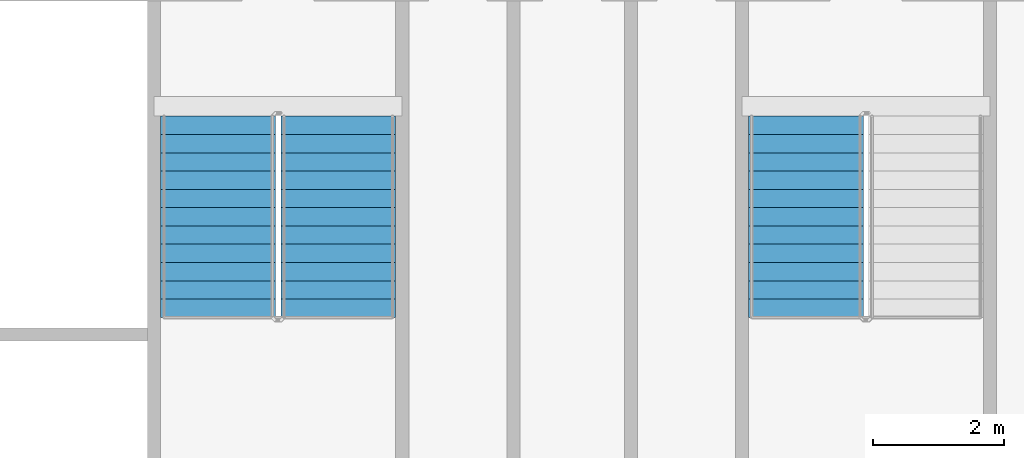
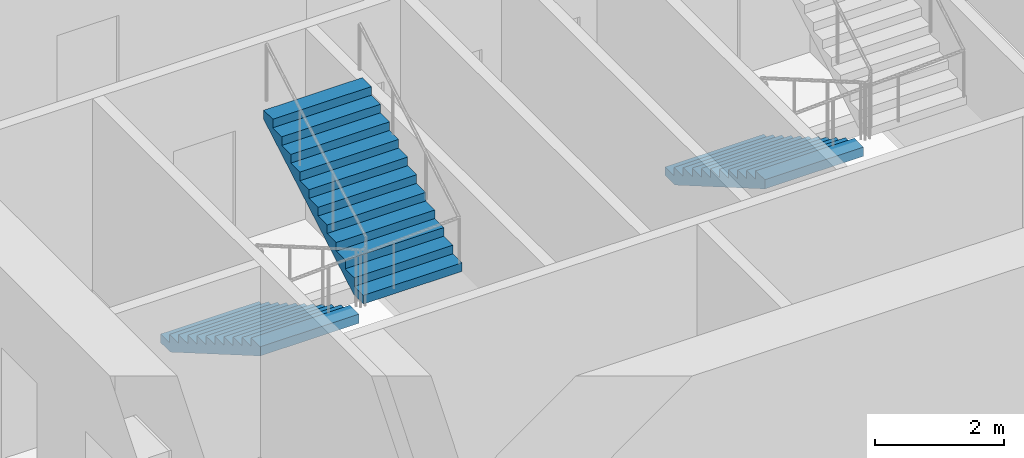
# One storey, part 8 of 12: 3 stair flights, 2 elements without a shape of their own.
"""IFC4 building model written with IfcOpenShell, lengths in metres."""

from ifc_helpers import new_model, si_unit, direction, frame, origin, place, context, subcontext, project, spatial, faceted_brep, material, type_object, element, aggregate, save


model = new_model("IFC4")

# Units and contexts
model_context = context("Model", 3, precision=1e-05, world=origin(), true_north=direction((0.0, 1.0)))
body_context = subcontext(model_context, "Body", "Model", "MODEL_VIEW")
ifc_project = project(units=[si_unit("LENGTHUNIT", "METRE"), si_unit("AREAUNIT", "SQUARE_METRE"), si_unit("VOLUMEUNIT", "CUBIC_METRE"), si_unit("PLANEANGLEUNIT", "RADIAN"), si_unit("MASSUNIT", "GRAM", prefix="KILO")], contexts=[model_context])

# Site, building, storey
site_placement = place(None, origin())
site = spatial("IfcSite", under=ifc_project, at=site_placement, CompositionType="ELEMENT")
building_placement = place(site_placement, origin())
building = spatial("IfcBuilding", under=site, at=building_placement, Name="Tarsis Ring Headquarters", CompositionType="ELEMENT")
storey_placement = place(building_placement, frame((0.0, 0.0, 82.89990234375)))
storey = spatial("IfcBuildingStorey", under=building, at=storey_placement, Name="L18", CompositionType="ELEMENT", Elevation=82.89990234375)

# Stair, stair flights
ifc_material_1 = material(Name="Core stair 1760")
stair_type = type_object("IfcStairType", Name="Core stair 1760", PredefinedType="HALF_TURN_STAIR", material=ifc_material_1)
stair_1_placement = place(storey_placement, origin())
stair_1 = element("IfcStair", 1, at=stair_1_placement, inside=storey, type_object=stair_type, Name="L18 Exit stair C", PredefinedType="HALF_TURN_STAIR")
ifc_material_2 = material(Name="Concrete C40/50", Category="concrete")
stair_flight_type = type_object("IfcStairFlightType", Name="Core stair flight 1760", PredefinedType="STRAIGHT", material=ifc_material_2)
stair_flight_1_placement = place(storey_placement, frame((-5.419921875, -3.659912109375, 0.0), z_axis=(0.0, 0.0, 1.0), x_axis=(0.0, -1.0, 0.0)))
stair_flight_1 = element("IfcStairFlight", 2, at=stair_flight_1_placement, type_object=stair_flight_type, Name="Stair ST3 flight 1", NumberOfRisers=12, NumberOfTreads=11, PredefinedType="STRAIGHT", RiserHeight=0.1625, TreadLength=0.28, context=body_context, shape_type="Brep", body=[
    faceted_brep([(0.0, 0.8798828125, 0.0), (0.0, 0.8798828125, 0.16259765625), (0.280029296875, 0.8798828125, 0.16259765625), (0.280029296875, 0.8798828125, 0.324951171875), (0.56005859375, 0.8798828125, 0.324951171875), (0.56005859375, 0.8798828125, 0.487548828125), (0.840087890625, 0.8798828125, 0.487548828125), (0.840087890625, 0.8798828125, 0.64990234375), (1.1201171875, 0.8798828125, 0.64990234375), (1.1201171875, 0.8798828125, 0.8125), (1.39990234375, 0.8798828125, 0.8125), (1.39990234375, 0.8798828125, 0.97509765625), (1.679931640625, 0.8798828125, 0.97509765625), (1.679931640625, 0.8798828125, 1.137451171875), (1.9599609375, 0.8798828125, 1.137451171875), (1.9599609375, 0.8798828125, 1.300048828125), (2.239990234375, 0.8798828125, 1.300048828125), (2.239990234375, 0.8798828125, 1.46240234375), (2.52001953125, 0.8798828125, 1.46240234375), (2.52001953125, 0.8798828125, 1.625), (2.800048828125, 0.8798828125, 1.625), (2.800048828125, 0.8798828125, 1.78759765625), (3.080078125, 0.8798828125, 1.78759765625), (3.080078125, 0.8798828125, 1.6142578125), (0.298583984375, 0.8798828125, 0.0), (0.298583984375, -0.8798828125, 0.0), (3.080078125, -0.8798828125, 1.6142578125), (3.080078125, -0.8798828125, 1.78759765625), (2.800048828125, -0.8798828125, 1.78759765625), (2.800048828125, -0.8798828125, 1.625), (2.52001953125, -0.8798828125, 1.625), (2.52001953125, -0.8798828125, 1.46240234375), (2.239990234375, -0.8798828125, 1.46240234375), (2.239990234375, -0.8798828125, 1.300048828125), (1.9599609375, -0.8798828125, 1.300048828125), (1.9599609375, -0.8798828125, 1.137451171875), (1.679931640625, -0.8798828125, 1.137451171875), (1.679931640625, -0.8798828125, 0.97509765625), (1.39990234375, -0.8798828125, 0.97509765625), (1.39990234375, -0.8798828125, 0.8125), (1.1201171875, -0.8798828125, 0.8125), (1.1201171875, -0.8798828125, 0.64990234375), (0.840087890625, -0.8798828125, 0.64990234375), (0.840087890625, -0.8798828125, 0.487548828125), (0.56005859375, -0.8798828125, 0.487548828125), (0.56005859375, -0.8798828125, 0.324951171875), (0.280029296875, -0.8798828125, 0.324951171875), (0.280029296875, -0.8798828125, 0.16259765625), (0.0, -0.8798828125, 0.16259765625), (0.0, -0.8798828125, 0.0), (0.0, -0.43994140625, 0.16259765625), (0.0, -0.43994140625, 0.0), (0.0, 0.0, 0.16259765625), (0.0, 0.0, 0.0), (0.0, 0.43994140625, 0.16259765625), (0.0, 0.43994140625, 0.0), (0.280029296875, -0.43994140625, 0.16259765625), (0.280029296875, 0.0, 0.16259765625), (0.280029296875, 0.43994140625, 0.16259765625), (0.280029296875, -0.43994140625, 0.324951171875), (0.280029296875, 0.0, 0.324951171875), (0.280029296875, 0.43994140625, 0.324951171875), (0.56005859375, -0.43994140625, 0.324951171875), (0.56005859375, 0.0, 0.324951171875), (0.56005859375, 0.43994140625, 0.324951171875), (0.56005859375, -0.43994140625, 0.487548828125), (0.56005859375, 0.0, 0.487548828125), (0.56005859375, 0.43994140625, 0.487548828125), (0.840087890625, -0.43994140625, 0.487548828125), (0.840087890625, 0.0, 0.487548828125), (0.840087890625, 0.43994140625, 0.487548828125), (0.840087890625, -0.43994140625, 0.64990234375), (0.840087890625, 0.0, 0.64990234375), (0.840087890625, 0.43994140625, 0.64990234375), (1.1201171875, -0.43994140625, 0.64990234375), (1.1201171875, 0.0, 0.64990234375), (1.1201171875, 0.43994140625, 0.64990234375), (1.1201171875, -0.43994140625, 0.8125), (1.1201171875, 0.0, 0.8125), (1.1201171875, 0.43994140625, 0.8125), (1.39990234375, -0.43994140625, 0.8125), (1.39990234375, 0.0, 0.8125), (1.39990234375, 0.43994140625, 0.8125), (1.39990234375, -0.43994140625, 0.97509765625), (1.39990234375, 0.0, 0.97509765625), (1.39990234375, 0.43994140625, 0.97509765625), (1.679931640625, -0.43994140625, 0.97509765625), (1.679931640625, 0.0, 0.97509765625), (1.679931640625, 0.43994140625, 0.97509765625), (1.679931640625, -0.43994140625, 1.137451171875), (1.679931640625, 0.0, 1.137451171875), (1.679931640625, 0.43994140625, 1.137451171875), (1.9599609375, -0.43994140625, 1.137451171875), (1.9599609375, 0.0, 1.137451171875), (1.9599609375, 0.43994140625, 1.137451171875), (1.9599609375, -0.43994140625, 1.300048828125), (1.9599609375, 0.0, 1.300048828125), (1.9599609375, 0.43994140625, 1.300048828125), (2.239990234375, -0.43994140625, 1.300048828125), (2.239990234375, 0.0, 1.300048828125), (2.239990234375, 0.43994140625, 1.300048828125), (2.239990234375, -0.43994140625, 1.46240234375), (2.239990234375, 0.0, 1.46240234375), (2.239990234375, 0.43994140625, 1.46240234375), (2.52001953125, -0.43994140625, 1.46240234375), (2.52001953125, 0.0, 1.46240234375), (2.52001953125, 0.43994140625, 1.46240234375), (2.52001953125, -0.43994140625, 1.625), (2.52001953125, 0.0, 1.625), (2.52001953125, 0.43994140625, 1.625), (2.800048828125, -0.43994140625, 1.625), (2.800048828125, 0.0, 1.625), (2.800048828125, 0.43994140625, 1.625), (2.800048828125, -0.43994140625, 1.78759765625), (2.800048828125, 0.0, 1.78759765625), (2.800048828125, 0.43994140625, 1.78759765625), (3.080078125, -0.43994140625, 1.78759765625), (3.080078125, 0.0, 1.78759765625), (3.080078125, 0.43994140625, 1.78759765625), (3.080078125, -0.43994140625, 1.6142578125), (3.080078125, 0.0, 1.6142578125), (3.080078125, 0.43994140625, 1.6142578125), (0.298583984375, -0.43994140625, 0.0), (0.298583984375, 0.0, 0.0), (0.298583984375, 0.43994140625, 0.0)], [[[0, 1, 2, 3, 4, 5, 6, 7, 8, 9, 10, 11, 12, 13, 14, 15, 16, 17, 18, 19, 20, 21, 22, 23, 24]], [[25, 26, 27, 28, 29, 30, 31, 32, 33, 34, 35, 36, 37, 38, 39, 40, 41, 42, 43, 44, 45, 46, 47, 48, 49]], [[49, 48, 50, 51]], [[51, 50, 52, 53]], [[53, 52, 54, 55]], [[55, 54, 1, 0]], [[48, 47, 56, 50]], [[50, 56, 57, 52]], [[52, 57, 58, 54]], [[54, 58, 2, 1]], [[47, 46, 59, 56]], [[56, 59, 60, 57]], [[57, 60, 61, 58]], [[58, 61, 3, 2]], [[46, 45, 62, 59]], [[59, 62, 63, 60]], [[60, 63, 64, 61]], [[61, 64, 4, 3]], [[45, 44, 65, 62]], [[62, 65, 66, 63]], [[63, 66, 67, 64]], [[64, 67, 5, 4]], [[44, 43, 68, 65]], [[65, 68, 69, 66]], [[66, 69, 70, 67]], [[67, 70, 6, 5]], [[43, 42, 71, 68]], [[68, 71, 72, 69]], [[69, 72, 73, 70]], [[70, 73, 7, 6]], [[42, 41, 74, 71]], [[71, 74, 75, 72]], [[72, 75, 76, 73]], [[73, 76, 8, 7]], [[41, 40, 77, 74]], [[74, 77, 78, 75]], [[75, 78, 79, 76]], [[76, 79, 9, 8]], [[40, 39, 80, 77]], [[77, 80, 81, 78]], [[78, 81, 82, 79]], [[79, 82, 10, 9]], [[39, 38, 83, 80]], [[80, 83, 84, 81]], [[81, 84, 85, 82]], [[82, 85, 11, 10]], [[38, 37, 86, 83]], [[83, 86, 87, 84]], [[84, 87, 88, 85]], [[85, 88, 12, 11]], [[37, 36, 89, 86]], [[86, 89, 90, 87]], [[87, 90, 91, 88]], [[88, 91, 13, 12]], [[36, 35, 92, 89]], [[89, 92, 93, 90]], [[90, 93, 94, 91]], [[91, 94, 14, 13]], [[35, 34, 95, 92]], [[92, 95, 96, 93]], [[93, 96, 97, 94]], [[94, 97, 15, 14]], [[34, 33, 98, 95]], [[95, 98, 99, 96]], [[96, 99, 100, 97]], [[97, 100, 16, 15]], [[33, 32, 101, 98]], [[98, 101, 102, 99]], [[99, 102, 103, 100]], [[100, 103, 17, 16]], [[32, 31, 104, 101]], [[101, 104, 105, 102]], [[102, 105, 106, 103]], [[103, 106, 18, 17]], [[31, 30, 107, 104]], [[104, 107, 108, 105]], [[105, 108, 109, 106]], [[106, 109, 19, 18]], [[30, 29, 110, 107]], [[107, 110, 111, 108]], [[108, 111, 112, 109]], [[109, 112, 20, 19]], [[29, 28, 113, 110]], [[110, 113, 114, 111]], [[111, 114, 115, 112]], [[112, 115, 21, 20]], [[28, 27, 116, 113]], [[113, 116, 117, 114]], [[114, 117, 118, 115]], [[115, 118, 22, 21]], [[27, 26, 119, 116]], [[116, 119, 120, 117]], [[117, 120, 121, 118]], [[118, 121, 23, 22]], [[26, 25, 122, 119]], [[119, 122, 123, 120]], [[120, 123, 124, 121]], [[121, 124, 24, 23]], [[25, 49, 51, 122]], [[122, 51, 53, 123]], [[123, 53, 55, 124]], [[124, 55, 0, 24]]]),
])
stair_flight_2_placement = place(storey_placement, frame((-3.580078125, -6.739990234375, 1.9501953125), z_axis=(0.0, 0.0, 1.0), x_axis=(0.0, 1.0, 0.0)))
stair_flight_2 = element("IfcStairFlight", 3, at=stair_flight_2_placement, type_object=stair_flight_type, Name="Stair ST3 flight 2", NumberOfRisers=12, NumberOfTreads=11, PredefinedType="STRAIGHT", RiserHeight=0.1625, TreadLength=0.28, context=body_context, shape_type="Brep", body=[
    faceted_brep([(0.0, 0.8798828125, 0.0), (0.0, 0.8798828125, 0.16259765625), (0.280029296875, 0.8798828125, 0.16259765625), (0.280029296875, 0.8798828125, 0.324951171875), (0.56005859375, 0.8798828125, 0.324951171875), (0.56005859375, 0.8798828125, 0.487548828125), (0.840087890625, 0.8798828125, 0.487548828125), (0.840087890625, 0.8798828125, 0.64990234375), (1.1201171875, 0.8798828125, 0.64990234375), (1.1201171875, 0.8798828125, 0.8125), (1.39990234375, 0.8798828125, 0.8125), (1.39990234375, 0.8798828125, 0.97509765625), (1.679931640625, 0.8798828125, 0.97509765625), (1.679931640625, 0.8798828125, 1.137451171875), (1.9599609375, 0.8798828125, 1.137451171875), (1.9599609375, 0.8798828125, 1.300048828125), (2.239990234375, 0.8798828125, 1.300048828125), (2.239990234375, 0.8798828125, 1.46240234375), (2.52001953125, 0.8798828125, 1.46240234375), (2.52001953125, 0.8798828125, 1.625), (2.800048828125, 0.8798828125, 1.625), (2.800048828125, 0.8798828125, 1.78759765625), (3.080078125, 0.8798828125, 1.78759765625), (3.080078125, 0.8798828125, 1.6142578125), (0.298583984375, 0.8798828125, 0.0), (0.298583984375, -0.8798828125, 0.0), (3.080078125, -0.8798828125, 1.6142578125), (3.080078125, -0.8798828125, 1.78759765625), (2.800048828125, -0.8798828125, 1.78759765625), (2.800048828125, -0.8798828125, 1.625), (2.52001953125, -0.8798828125, 1.625), (2.52001953125, -0.8798828125, 1.46240234375), (2.239990234375, -0.8798828125, 1.46240234375), (2.239990234375, -0.8798828125, 1.300048828125), (1.9599609375, -0.8798828125, 1.300048828125), (1.9599609375, -0.8798828125, 1.137451171875), (1.679931640625, -0.8798828125, 1.137451171875), (1.679931640625, -0.8798828125, 0.97509765625), (1.39990234375, -0.8798828125, 0.97509765625), (1.39990234375, -0.8798828125, 0.8125), (1.1201171875, -0.8798828125, 0.8125), (1.1201171875, -0.8798828125, 0.64990234375), (0.840087890625, -0.8798828125, 0.64990234375), (0.840087890625, -0.8798828125, 0.487548828125), (0.56005859375, -0.8798828125, 0.487548828125), (0.56005859375, -0.8798828125, 0.324951171875), (0.280029296875, -0.8798828125, 0.324951171875), (0.280029296875, -0.8798828125, 0.16259765625), (0.0, -0.8798828125, 0.16259765625), (0.0, -0.8798828125, 0.0), (0.0, -0.43994140625, 0.16259765625), (0.0, -0.43994140625, 0.0), (0.0, 0.0, 0.16259765625), (0.0, 0.0, 0.0), (0.0, 0.43994140625, 0.16259765625), (0.0, 0.43994140625, 0.0), (0.280029296875, -0.43994140625, 0.16259765625), (0.280029296875, 0.0, 0.16259765625), (0.280029296875, 0.43994140625, 0.16259765625), (0.280029296875, -0.43994140625, 0.324951171875), (0.280029296875, 0.0, 0.324951171875), (0.280029296875, 0.43994140625, 0.324951171875), (0.56005859375, -0.43994140625, 0.324951171875), (0.56005859375, 0.0, 0.324951171875), (0.56005859375, 0.43994140625, 0.324951171875), (0.56005859375, -0.43994140625, 0.487548828125), (0.56005859375, 0.0, 0.487548828125), (0.56005859375, 0.43994140625, 0.487548828125), (0.840087890625, -0.43994140625, 0.487548828125), (0.840087890625, 0.0, 0.487548828125), (0.840087890625, 0.43994140625, 0.487548828125), (0.840087890625, -0.43994140625, 0.64990234375), (0.840087890625, 0.0, 0.64990234375), (0.840087890625, 0.43994140625, 0.64990234375), (1.1201171875, -0.43994140625, 0.64990234375), (1.1201171875, 0.0, 0.64990234375), (1.1201171875, 0.43994140625, 0.64990234375), (1.1201171875, -0.43994140625, 0.8125), (1.1201171875, 0.0, 0.8125), (1.1201171875, 0.43994140625, 0.8125), (1.39990234375, -0.43994140625, 0.8125), (1.39990234375, 0.0, 0.8125), (1.39990234375, 0.43994140625, 0.8125), (1.39990234375, -0.43994140625, 0.97509765625), (1.39990234375, 0.0, 0.97509765625), (1.39990234375, 0.43994140625, 0.97509765625), (1.679931640625, -0.43994140625, 0.97509765625), (1.679931640625, 0.0, 0.97509765625), (1.679931640625, 0.43994140625, 0.97509765625), (1.679931640625, -0.43994140625, 1.137451171875), (1.679931640625, 0.0, 1.137451171875), (1.679931640625, 0.43994140625, 1.137451171875), (1.9599609375, -0.43994140625, 1.137451171875), (1.9599609375, 0.0, 1.137451171875), (1.9599609375, 0.43994140625, 1.137451171875), (1.9599609375, -0.43994140625, 1.300048828125), (1.9599609375, 0.0, 1.300048828125), (1.9599609375, 0.43994140625, 1.300048828125), (2.239990234375, -0.43994140625, 1.300048828125), (2.239990234375, 0.0, 1.300048828125), (2.239990234375, 0.43994140625, 1.300048828125), (2.239990234375, -0.43994140625, 1.46240234375), (2.239990234375, 0.0, 1.46240234375), (2.239990234375, 0.43994140625, 1.46240234375), (2.52001953125, -0.43994140625, 1.46240234375), (2.52001953125, 0.0, 1.46240234375), (2.52001953125, 0.43994140625, 1.46240234375), (2.52001953125, -0.43994140625, 1.625), (2.52001953125, 0.0, 1.625), (2.52001953125, 0.43994140625, 1.625), (2.800048828125, -0.43994140625, 1.625), (2.800048828125, 0.0, 1.625), (2.800048828125, 0.43994140625, 1.625), (2.800048828125, -0.43994140625, 1.78759765625), (2.800048828125, 0.0, 1.78759765625), (2.800048828125, 0.43994140625, 1.78759765625), (3.080078125, -0.43994140625, 1.78759765625), (3.080078125, 0.0, 1.78759765625), (3.080078125, 0.43994140625, 1.78759765625), (3.080078125, -0.43994140625, 1.6142578125), (3.080078125, 0.0, 1.6142578125), (3.080078125, 0.43994140625, 1.6142578125), (0.298583984375, -0.43994140625, 0.0), (0.298583984375, 0.0, 0.0), (0.298583984375, 0.43994140625, 0.0)], [[[0, 1, 2, 3, 4, 5, 6, 7, 8, 9, 10, 11, 12, 13, 14, 15, 16, 17, 18, 19, 20, 21, 22, 23, 24]], [[25, 26, 27, 28, 29, 30, 31, 32, 33, 34, 35, 36, 37, 38, 39, 40, 41, 42, 43, 44, 45, 46, 47, 48, 49]], [[49, 48, 50, 51]], [[51, 50, 52, 53]], [[53, 52, 54, 55]], [[55, 54, 1, 0]], [[48, 47, 56, 50]], [[50, 56, 57, 52]], [[52, 57, 58, 54]], [[54, 58, 2, 1]], [[47, 46, 59, 56]], [[56, 59, 60, 57]], [[57, 60, 61, 58]], [[58, 61, 3, 2]], [[46, 45, 62, 59]], [[59, 62, 63, 60]], [[60, 63, 64, 61]], [[61, 64, 4, 3]], [[45, 44, 65, 62]], [[62, 65, 66, 63]], [[63, 66, 67, 64]], [[64, 67, 5, 4]], [[44, 43, 68, 65]], [[65, 68, 69, 66]], [[66, 69, 70, 67]], [[67, 70, 6, 5]], [[43, 42, 71, 68]], [[68, 71, 72, 69]], [[69, 72, 73, 70]], [[70, 73, 7, 6]], [[42, 41, 74, 71]], [[71, 74, 75, 72]], [[72, 75, 76, 73]], [[73, 76, 8, 7]], [[41, 40, 77, 74]], [[74, 77, 78, 75]], [[75, 78, 79, 76]], [[76, 79, 9, 8]], [[40, 39, 80, 77]], [[77, 80, 81, 78]], [[78, 81, 82, 79]], [[79, 82, 10, 9]], [[39, 38, 83, 80]], [[80, 83, 84, 81]], [[81, 84, 85, 82]], [[82, 85, 11, 10]], [[38, 37, 86, 83]], [[83, 86, 87, 84]], [[84, 87, 88, 85]], [[85, 88, 12, 11]], [[37, 36, 89, 86]], [[86, 89, 90, 87]], [[87, 90, 91, 88]], [[88, 91, 13, 12]], [[36, 35, 92, 89]], [[89, 92, 93, 90]], [[90, 93, 94, 91]], [[91, 94, 14, 13]], [[35, 34, 95, 92]], [[92, 95, 96, 93]], [[93, 96, 97, 94]], [[94, 97, 15, 14]], [[34, 33, 98, 95]], [[95, 98, 99, 96]], [[96, 99, 100, 97]], [[97, 100, 16, 15]], [[33, 32, 101, 98]], [[98, 101, 102, 99]], [[99, 102, 103, 100]], [[100, 103, 17, 16]], [[32, 31, 104, 101]], [[101, 104, 105, 102]], [[102, 105, 106, 103]], [[103, 106, 18, 17]], [[31, 30, 107, 104]], [[104, 107, 108, 105]], [[105, 108, 109, 106]], [[106, 109, 19, 18]], [[30, 29, 110, 107]], [[107, 110, 111, 108]], [[108, 111, 112, 109]], [[109, 112, 20, 19]], [[29, 28, 113, 110]], [[110, 113, 114, 111]], [[111, 114, 115, 112]], [[112, 115, 21, 20]], [[28, 27, 116, 113]], [[113, 116, 117, 114]], [[114, 117, 118, 115]], [[115, 118, 22, 21]], [[27, 26, 119, 116]], [[116, 119, 120, 117]], [[117, 120, 121, 118]], [[118, 121, 23, 22]], [[26, 25, 122, 119]], [[119, 122, 123, 120]], [[120, 123, 124, 121]], [[121, 124, 24, 23]], [[25, 49, 51, 122]], [[122, 51, 53, 123]], [[123, 53, 55, 124]], [[124, 55, 0, 24]]]),
])
aggregate(stair_1, [stair_flight_1, stair_flight_2])

# Stair, stair flight
stair_2_placement = place(storey_placement, origin())
stair_2 = element("IfcStair", 4, at=stair_2_placement, inside=storey, type_object=stair_type, Name="L18 Exit stair D", PredefinedType="HALF_TURN_STAIR")
stair_flight_3_placement = place(storey_placement, frame((3.580078125, -3.659912109375, 0.0), z_axis=(0.0, 0.0, 1.0), x_axis=(0.0, -1.0, 0.0)))
stair_flight_3 = element("IfcStairFlight", 5, at=stair_flight_3_placement, type_object=stair_flight_type, Name="Stair ST4 flight 1", NumberOfRisers=12, NumberOfTreads=11, PredefinedType="STRAIGHT", RiserHeight=0.1625, TreadLength=0.28, context=body_context, shape_type="Brep", body=[
    faceted_brep([(0.0, 0.8798828125, 0.0), (0.0, 0.8798828125, 0.16259765625), (0.280029296875, 0.8798828125, 0.16259765625), (0.280029296875, 0.8798828125, 0.324951171875), (0.56005859375, 0.8798828125, 0.324951171875), (0.56005859375, 0.8798828125, 0.487548828125), (0.840087890625, 0.8798828125, 0.487548828125), (0.840087890625, 0.8798828125, 0.64990234375), (1.1201171875, 0.8798828125, 0.64990234375), (1.1201171875, 0.8798828125, 0.8125), (1.39990234375, 0.8798828125, 0.8125), (1.39990234375, 0.8798828125, 0.97509765625), (1.679931640625, 0.8798828125, 0.97509765625), (1.679931640625, 0.8798828125, 1.137451171875), (1.9599609375, 0.8798828125, 1.137451171875), (1.9599609375, 0.8798828125, 1.300048828125), (2.239990234375, 0.8798828125, 1.300048828125), (2.239990234375, 0.8798828125, 1.46240234375), (2.52001953125, 0.8798828125, 1.46240234375), (2.52001953125, 0.8798828125, 1.625), (2.800048828125, 0.8798828125, 1.625), (2.800048828125, 0.8798828125, 1.78759765625), (3.080078125, 0.8798828125, 1.78759765625), (3.080078125, 0.8798828125, 1.6142578125), (0.298583984375, 0.8798828125, 0.0), (0.298583984375, -0.8798828125, 0.0), (3.080078125, -0.8798828125, 1.6142578125), (3.080078125, -0.8798828125, 1.78759765625), (2.800048828125, -0.8798828125, 1.78759765625), (2.800048828125, -0.8798828125, 1.625), (2.52001953125, -0.8798828125, 1.625), (2.52001953125, -0.8798828125, 1.46240234375), (2.239990234375, -0.8798828125, 1.46240234375), (2.239990234375, -0.8798828125, 1.300048828125), (1.9599609375, -0.8798828125, 1.300048828125), (1.9599609375, -0.8798828125, 1.137451171875), (1.679931640625, -0.8798828125, 1.137451171875), (1.679931640625, -0.8798828125, 0.97509765625), (1.39990234375, -0.8798828125, 0.97509765625), (1.39990234375, -0.8798828125, 0.8125), (1.1201171875, -0.8798828125, 0.8125), (1.1201171875, -0.8798828125, 0.64990234375), (0.840087890625, -0.8798828125, 0.64990234375), (0.840087890625, -0.8798828125, 0.487548828125), (0.56005859375, -0.8798828125, 0.487548828125), (0.56005859375, -0.8798828125, 0.324951171875), (0.280029296875, -0.8798828125, 0.324951171875), (0.280029296875, -0.8798828125, 0.16259765625), (0.0, -0.8798828125, 0.16259765625), (0.0, -0.8798828125, 0.0), (0.0, -0.43994140625, 0.16259765625), (0.0, -0.43994140625, 0.0), (0.0, 0.0, 0.16259765625), (0.0, 0.0, 0.0), (0.0, 0.43994140625, 0.16259765625), (0.0, 0.43994140625, 0.0), (0.280029296875, -0.43994140625, 0.16259765625), (0.280029296875, 0.0, 0.16259765625), (0.280029296875, 0.43994140625, 0.16259765625), (0.280029296875, -0.43994140625, 0.324951171875), (0.280029296875, 0.0, 0.324951171875), (0.280029296875, 0.43994140625, 0.324951171875), (0.56005859375, -0.43994140625, 0.324951171875), (0.56005859375, 0.0, 0.324951171875), (0.56005859375, 0.43994140625, 0.324951171875), (0.56005859375, -0.43994140625, 0.487548828125), (0.56005859375, 0.0, 0.487548828125), (0.56005859375, 0.43994140625, 0.487548828125), (0.840087890625, -0.43994140625, 0.487548828125), (0.840087890625, 0.0, 0.487548828125), (0.840087890625, 0.43994140625, 0.487548828125), (0.840087890625, -0.43994140625, 0.64990234375), (0.840087890625, 0.0, 0.64990234375), (0.840087890625, 0.43994140625, 0.64990234375), (1.1201171875, -0.43994140625, 0.64990234375), (1.1201171875, 0.0, 0.64990234375), (1.1201171875, 0.43994140625, 0.64990234375), (1.1201171875, -0.43994140625, 0.8125), (1.1201171875, 0.0, 0.8125), (1.1201171875, 0.43994140625, 0.8125), (1.39990234375, -0.43994140625, 0.8125), (1.39990234375, 0.0, 0.8125), (1.39990234375, 0.43994140625, 0.8125), (1.39990234375, -0.43994140625, 0.97509765625), (1.39990234375, 0.0, 0.97509765625), (1.39990234375, 0.43994140625, 0.97509765625), (1.679931640625, -0.43994140625, 0.97509765625), (1.679931640625, 0.0, 0.97509765625), (1.679931640625, 0.43994140625, 0.97509765625), (1.679931640625, -0.43994140625, 1.137451171875), (1.679931640625, 0.0, 1.137451171875), (1.679931640625, 0.43994140625, 1.137451171875), (1.9599609375, -0.43994140625, 1.137451171875), (1.9599609375, 0.0, 1.137451171875), (1.9599609375, 0.43994140625, 1.137451171875), (1.9599609375, -0.43994140625, 1.300048828125), (1.9599609375, 0.0, 1.300048828125), (1.9599609375, 0.43994140625, 1.300048828125), (2.239990234375, -0.43994140625, 1.300048828125), (2.239990234375, 0.0, 1.300048828125), (2.239990234375, 0.43994140625, 1.300048828125), (2.239990234375, -0.43994140625, 1.46240234375), (2.239990234375, 0.0, 1.46240234375), (2.239990234375, 0.43994140625, 1.46240234375), (2.52001953125, -0.43994140625, 1.46240234375), (2.52001953125, 0.0, 1.46240234375), (2.52001953125, 0.43994140625, 1.46240234375), (2.52001953125, -0.43994140625, 1.625), (2.52001953125, 0.0, 1.625), (2.52001953125, 0.43994140625, 1.625), (2.800048828125, -0.43994140625, 1.625), (2.800048828125, 0.0, 1.625), (2.800048828125, 0.43994140625, 1.625), (2.800048828125, -0.43994140625, 1.78759765625), (2.800048828125, 0.0, 1.78759765625), (2.800048828125, 0.43994140625, 1.78759765625), (3.080078125, -0.43994140625, 1.78759765625), (3.080078125, 0.0, 1.78759765625), (3.080078125, 0.43994140625, 1.78759765625), (3.080078125, -0.43994140625, 1.6142578125), (3.080078125, 0.0, 1.6142578125), (3.080078125, 0.43994140625, 1.6142578125), (0.298583984375, -0.43994140625, 0.0), (0.298583984375, 0.0, 0.0), (0.298583984375, 0.43994140625, 0.0)], [[[0, 1, 2, 3, 4, 5, 6, 7, 8, 9, 10, 11, 12, 13, 14, 15, 16, 17, 18, 19, 20, 21, 22, 23, 24]], [[25, 26, 27, 28, 29, 30, 31, 32, 33, 34, 35, 36, 37, 38, 39, 40, 41, 42, 43, 44, 45, 46, 47, 48, 49]], [[49, 48, 50, 51]], [[51, 50, 52, 53]], [[53, 52, 54, 55]], [[55, 54, 1, 0]], [[48, 47, 56, 50]], [[50, 56, 57, 52]], [[52, 57, 58, 54]], [[54, 58, 2, 1]], [[47, 46, 59, 56]], [[56, 59, 60, 57]], [[57, 60, 61, 58]], [[58, 61, 3, 2]], [[46, 45, 62, 59]], [[59, 62, 63, 60]], [[60, 63, 64, 61]], [[61, 64, 4, 3]], [[45, 44, 65, 62]], [[62, 65, 66, 63]], [[63, 66, 67, 64]], [[64, 67, 5, 4]], [[44, 43, 68, 65]], [[65, 68, 69, 66]], [[66, 69, 70, 67]], [[67, 70, 6, 5]], [[43, 42, 71, 68]], [[68, 71, 72, 69]], [[69, 72, 73, 70]], [[70, 73, 7, 6]], [[42, 41, 74, 71]], [[71, 74, 75, 72]], [[72, 75, 76, 73]], [[73, 76, 8, 7]], [[41, 40, 77, 74]], [[74, 77, 78, 75]], [[75, 78, 79, 76]], [[76, 79, 9, 8]], [[40, 39, 80, 77]], [[77, 80, 81, 78]], [[78, 81, 82, 79]], [[79, 82, 10, 9]], [[39, 38, 83, 80]], [[80, 83, 84, 81]], [[81, 84, 85, 82]], [[82, 85, 11, 10]], [[38, 37, 86, 83]], [[83, 86, 87, 84]], [[84, 87, 88, 85]], [[85, 88, 12, 11]], [[37, 36, 89, 86]], [[86, 89, 90, 87]], [[87, 90, 91, 88]], [[88, 91, 13, 12]], [[36, 35, 92, 89]], [[89, 92, 93, 90]], [[90, 93, 94, 91]], [[91, 94, 14, 13]], [[35, 34, 95, 92]], [[92, 95, 96, 93]], [[93, 96, 97, 94]], [[94, 97, 15, 14]], [[34, 33, 98, 95]], [[95, 98, 99, 96]], [[96, 99, 100, 97]], [[97, 100, 16, 15]], [[33, 32, 101, 98]], [[98, 101, 102, 99]], [[99, 102, 103, 100]], [[100, 103, 17, 16]], [[32, 31, 104, 101]], [[101, 104, 105, 102]], [[102, 105, 106, 103]], [[103, 106, 18, 17]], [[31, 30, 107, 104]], [[104, 107, 108, 105]], [[105, 108, 109, 106]], [[106, 109, 19, 18]], [[30, 29, 110, 107]], [[107, 110, 111, 108]], [[108, 111, 112, 109]], [[109, 112, 20, 19]], [[29, 28, 113, 110]], [[110, 113, 114, 111]], [[111, 114, 115, 112]], [[112, 115, 21, 20]], [[28, 27, 116, 113]], [[113, 116, 117, 114]], [[114, 117, 118, 115]], [[115, 118, 22, 21]], [[27, 26, 119, 116]], [[116, 119, 120, 117]], [[117, 120, 121, 118]], [[118, 121, 23, 22]], [[26, 25, 122, 119]], [[119, 122, 123, 120]], [[120, 123, 124, 121]], [[121, 124, 24, 23]], [[25, 49, 51, 122]], [[122, 51, 53, 123]], [[123, 53, 55, 124]], [[124, 55, 0, 24]]]),
])
aggregate(stair_2, [stair_flight_3])

save(model, "model.ifc")
